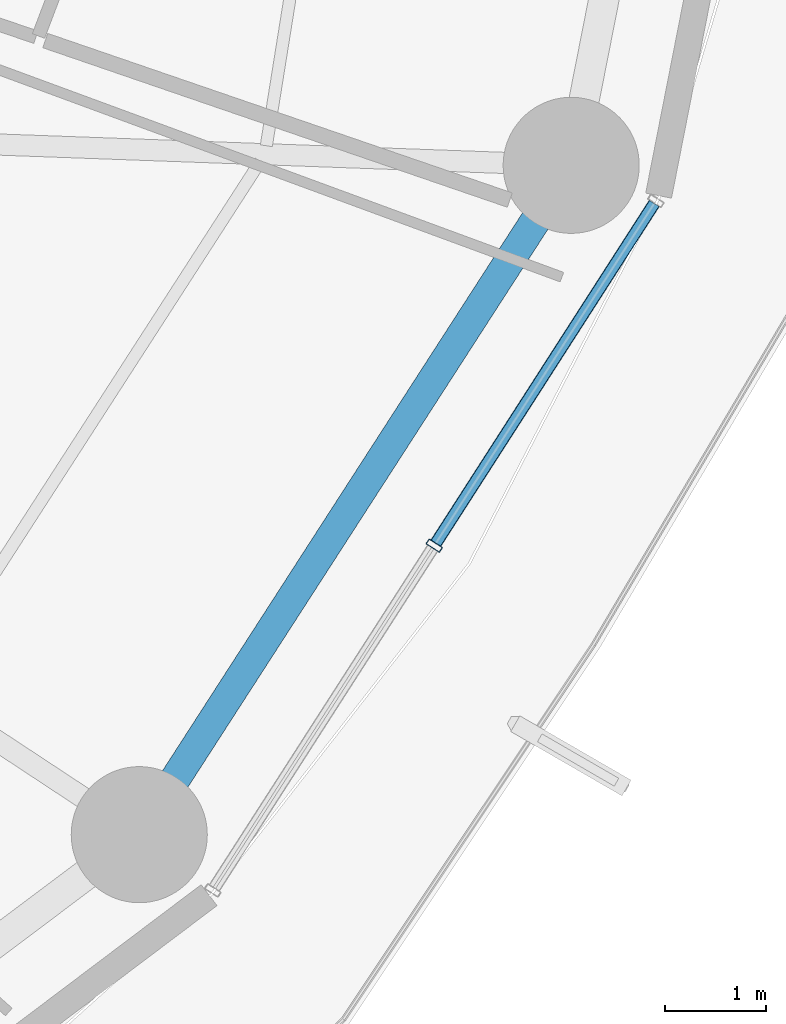
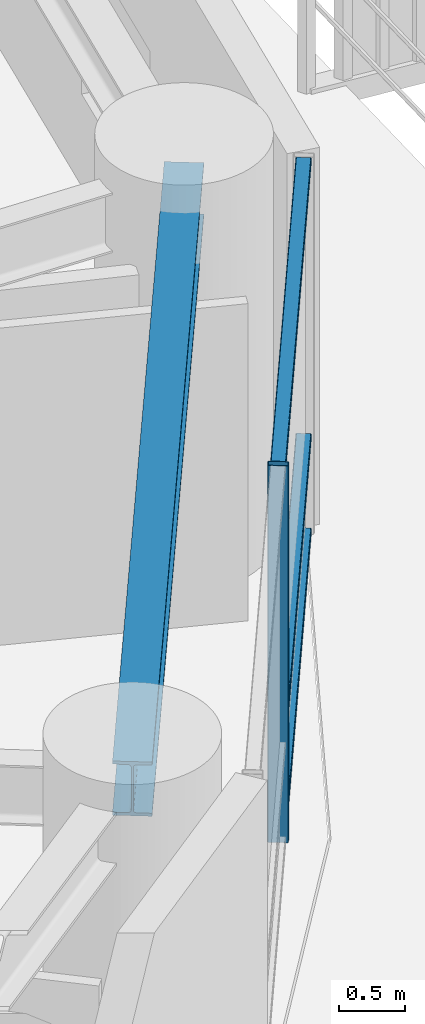
# One storey, part 13 of 35: 4 members, 1 beam, 1 element without a shape of its own.
"""IFC4 building model written with IfcOpenShell, lengths in metres."""

from ifc_helpers import new_model, si_unit, direction, frame, origin, origin_2d, place, context, subcontext, project, spatial, hollow_rectangle, i_section, extrude, material, layer, layer_set, material_profile, profile_set, type_object, element, aggregate, save


model = new_model("IFC4")

# Units and contexts
model_context = context("Model", 3, precision=1e-05, world=origin(), true_north=direction((0.0, 1.0)))
body_context = subcontext(model_context, "Body", "Model", "MODEL_VIEW")
ifc_project = project(units=[si_unit("LENGTHUNIT", "METRE"), si_unit("AREAUNIT", "SQUARE_METRE"), si_unit("VOLUMEUNIT", "CUBIC_METRE"), si_unit("PLANEANGLEUNIT", "RADIAN"), si_unit("MASSUNIT", "GRAM", prefix="KILO")], contexts=[model_context])

# Site, building, storey
site_placement = place(None, origin())
site = spatial("IfcSite", under=ifc_project, at=site_placement, CompositionType="ELEMENT")
building_placement = place(site_placement, origin())
building = spatial("IfcBuilding", under=site, at=building_placement, Name="Kelanora Arch Commons", CompositionType="ELEMENT")
storey_placement = place(building_placement, frame((0.0, 0.0, 91.35009765625)))
storey = spatial("IfcBuildingStorey", under=building, at=storey_placement, Name="L23", CompositionType="ELEMENT", Elevation=91.35009765625)

# Beam
ifc_material_1 = material(Name="Steel S355", Category="steel")
ifc_material_profile_1 = material_profile(ifc_material_1, i_section(OverallWidth=0.300048828125, OverallDepth=0.5, WebThickness=0.014404296875, FlangeThickness=0.028076171875, FilletRadius=0.027099609375, at=origin_2d()), Name="HEB500")
ifc_profile_set_1 = profile_set([ifc_material_profile_1], Name="Steel S355")
beam_type = type_object("IfcBeamType", Name="BM-SPN-Z2", PredefinedType="SPANDREL", material=ifc_profile_set_1)
beam_placement = place(storey_placement, frame((92.906005859375, 43.80712890625, 3.239990234375), z_axis=(0.542221144054, 0.840235818649, 0.0), x_axis=(-0.840235818649, 0.542221144054, 0.0)))
element("IfcBeam", 1, at=beam_placement, inside=storey, type_object=beam_type, Name="Perimeter Spandrel Beam BS-32 L23", PredefinedType="SPANDREL", context=body_context, shape_type="SweptSolid", body=[
    extrude(i_section(OverallWidth=0.300048828125, OverallDepth=0.5, WebThickness=0.014404296875, FlangeThickness=0.028076171875, FilletRadius=0.027099609375, at=origin_2d()), origin(), (0.0, 0.0, 1.0), 7.90380859375),
])

# Curtain wall, members
ifc_material_2 = material(Name="Terracotta ceramic-fritted low-E glass and aluminium", Category="masonry")
ifc_layer = layer(ifc_material_2, 0.159912109375)
ifc_layer_set = layer_set([ifc_layer], Name="Terracotta ceramic-fritted low-E glass and aluminium")
curtain_wall_type = type_object("IfcCurtainWallType", Name="CW-SYS-01", PredefinedType="NOTDEFINED", material=ifc_layer_set)
curtain_wall_placement = place(storey_placement, origin())
curtain_wall = element("IfcCurtainWall", 2, at=curtain_wall_placement, inside=storey, type_object=curtain_wall_type, Name="Unitised Curtain Wall L23-B16", PredefinedType="NOTDEFINED")
ifc_material_3 = material(Name="Powder-coated aluminium terracotta", Category="masonry")
ifc_material_profile_2 = material_profile(ifc_material_3, hollow_rectangle(XDim=0.159912109375, YDim=0.06005859375, WallThickness=0.0048828125, InnerFilletRadius=0.0048828125, OuterFilletRadius=0.010009765625, at=origin_2d()), Name="CWM160x60")
ifc_profile_set_2 = profile_set([ifc_material_profile_2], Name="Powder-coated aluminium terracotta")
member_type_1 = type_object("IfcMemberType", Name="CWM-STD", PredefinedType="MULLION", material=ifc_profile_set_2)
member_1_placement = place(storey_placement, frame((95.83349609375, 46.6748046875, 0.0), z_axis=(0.0, 0.0, 1.0), x_axis=(-0.841268883088, 0.540616931244, 0.0)))
member_1 = element("IfcMember", 3, at=member_1_placement, type_object=member_type_1, Name="CW-01 mullion 2", PredefinedType="MULLION", context=body_context, shape_type="SweptSolid", body=[
    extrude(hollow_rectangle(XDim=0.159912109375, YDim=0.06005859375, WallThickness=0.0048828125, InnerFilletRadius=0.0048828125, OuterFilletRadius=0.010009765625, at=origin_2d()), origin(), (0.0, 0.0, 1.0), 3.474853515625),
])
ifc_material_profile_3 = material_profile(ifc_material_3, hollow_rectangle(XDim=0.1201171875, YDim=0.06005859375, WallThickness=0.0048828125, InnerFilletRadius=0.0048828125, OuterFilletRadius=0.010009765625, at=origin_2d()), Name="CWT120x60")
ifc_profile_set_3 = profile_set([ifc_material_profile_3], Name="Powder-coated aluminium terracotta")
member_type_2 = type_object("IfcMemberType", Name="CWT-STD", PredefinedType="USERDEFINED", material=ifc_profile_set_3)
member_2_placement = place(storey_placement, frame((95.849609375, 46.699951171875, 0.02978515625), z_axis=(0.540643629734, 0.841251725483, 0.0), x_axis=(-0.841251725483, 0.540643629734, 0.0)))
member_2 = element("IfcMember", 4, at=member_2_placement, type_object=member_type_2, Name="CW-01 transom 2.1", ObjectType="TRANSOM", PredefinedType="USERDEFINED", context=body_context, shape_type="SweptSolid", body=[
    extrude(hollow_rectangle(XDim=0.1201171875, YDim=0.06005859375, WallThickness=0.0048828125, InnerFilletRadius=0.0048828125, OuterFilletRadius=0.010009765625, at=origin_2d()), origin(), (0.0, 0.0, 1.0), 4.00634765625),
])
member_3_placement = place(storey_placement, frame((95.849609375, 46.699951171875, 0.89990234375), z_axis=(0.540643629734, 0.841251725483, 0.0), x_axis=(-0.841251725483, 0.540643629734, 0.0)))
member_3 = element("IfcMember", 5, at=member_3_placement, type_object=member_type_2, Name="CW-01 transom 2.2", ObjectType="TRANSOM", PredefinedType="USERDEFINED", context=body_context, shape_type="SweptSolid", body=[
    extrude(hollow_rectangle(XDim=0.1201171875, YDim=0.06005859375, WallThickness=0.0048828125, InnerFilletRadius=0.0048828125, OuterFilletRadius=0.010009765625, at=origin_2d()), origin(), (0.0, 0.0, 1.0), 4.00634765625),
])
member_4_placement = place(storey_placement, frame((95.849609375, 46.699951171875, 3.44482421875), z_axis=(0.540643629734, 0.841251725483, 0.0), x_axis=(-0.841251725483, 0.540643629734, 0.0)))
member_4 = element("IfcMember", 6, at=member_4_placement, type_object=member_type_2, Name="CW-01 transom 2.3", ObjectType="TRANSOM", PredefinedType="USERDEFINED", context=body_context, shape_type="SweptSolid", body=[
    extrude(hollow_rectangle(XDim=0.1201171875, YDim=0.06005859375, WallThickness=0.0048828125, InnerFilletRadius=0.0048828125, OuterFilletRadius=0.010009765625, at=origin_2d()), origin(), (0.0, 0.0, 1.0), 4.00634765625),
])
aggregate(curtain_wall, [member_1, member_2, member_3, member_4])

save(model, "model.ifc")
